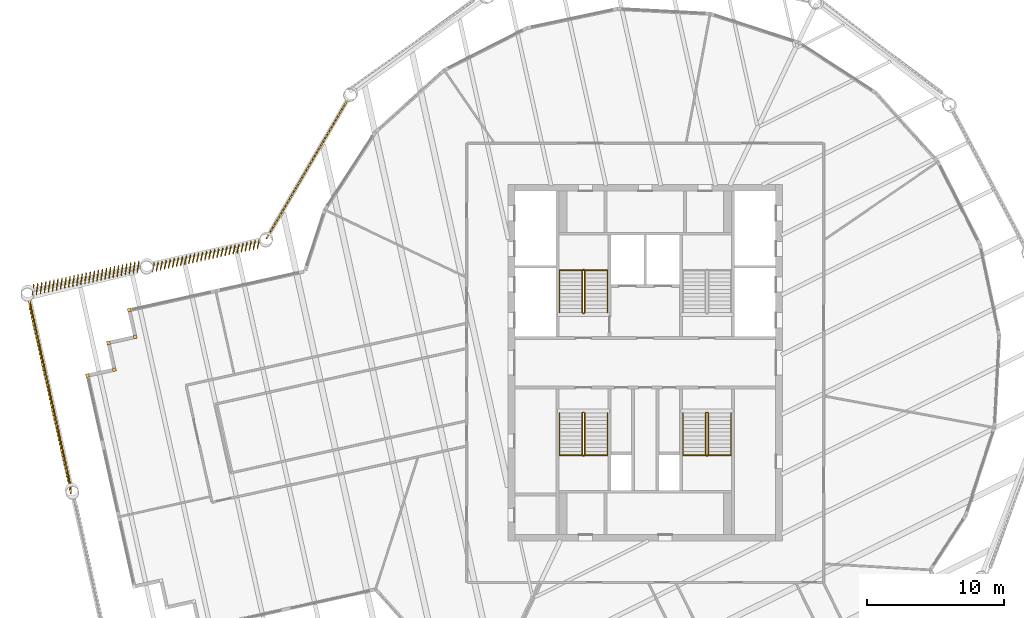
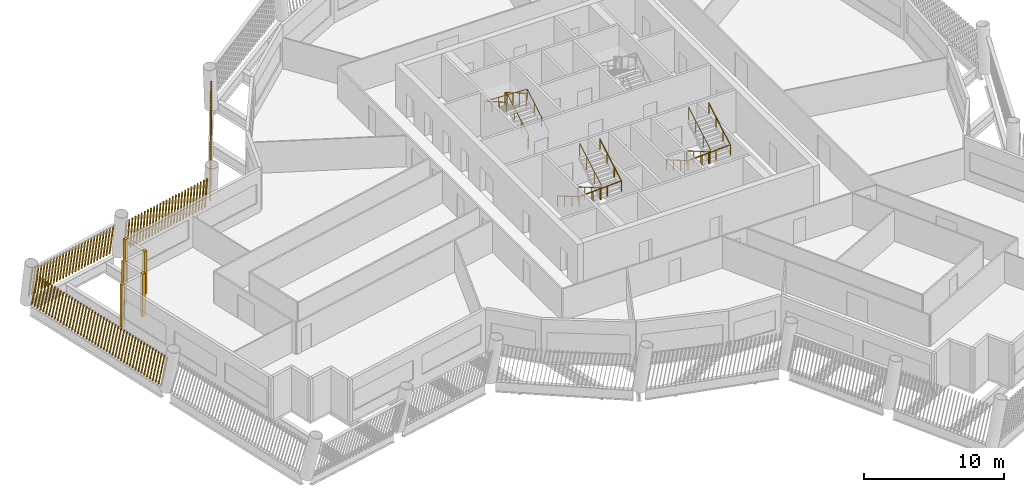
# One storey, part 11 of 14: 9 shading devices, 6 railings.
"""IFC4 building model written with IfcOpenShell, lengths in metres."""

from ifc_helpers import new_model, si_unit, direction, frame, frame_2d, origin, origin_2d, place, context, subcontext, project, spatial, rectangle, circle, composite_profile, extrude, material, type_object, element, save


model = new_model("IFC4")

# Units and contexts
model_context = context("Model", 3, precision=1e-05, world=origin(), true_north=direction((0.0, 1.0)))
body_context = subcontext(model_context, "Body", "Model", "MODEL_VIEW")
ifc_project = project(units=[si_unit("LENGTHUNIT", "METRE"), si_unit("AREAUNIT", "SQUARE_METRE"), si_unit("VOLUMEUNIT", "CUBIC_METRE"), si_unit("PLANEANGLEUNIT", "RADIAN"), si_unit("MASSUNIT", "GRAM", prefix="KILO")], contexts=[model_context])

# Site, building, storey
site_placement = place(None, origin())
site = spatial("IfcSite", under=ifc_project, at=site_placement, CompositionType="ELEMENT")
building_placement = place(site_placement, origin())
building = spatial("IfcBuilding", under=site, at=building_placement, Name="Tarsis Ring Headquarters", CompositionType="ELEMENT")
storey_placement = place(building_placement, frame((0.0, 0.0, 335.300048828125)))
storey = spatial("IfcBuildingStorey", under=building, at=storey_placement, Name="L79", CompositionType="ELEMENT", Elevation=335.300048828125)

# Railings
ifc_material_1 = material(Name="Steel S355", Category="steel")
railing_type_1 = type_object("IfcRailingType", Name="Core stair guard 1100", PredefinedType="GUARDRAIL", material=ifc_material_1)
railing_1_placement = place(storey_placement, frame((-4.5400390625, 3.610107421875, 0.0)))
element("IfcRailing", 1, at=railing_1_placement, inside=storey, type_object=railing_type_1, Name="L79 ST1 stair guard 1", PredefinedType="GUARDRAIL", context=body_context, shape_type="SweptSolid", body=[
    extrude(circle(Radius=0.02392578125, at=origin_2d()), frame((0.0, 0.0, 1.076171875), z_axis=(1.0, 0.0, 0.0), x_axis=(0.0, 1.0, 0.0)), (0.0, 0.0, 1.0), 0.080078125),
    extrude(circle(Radius=0.02392578125, at=origin_2d()), frame((0.080078125, 0.0, 1.076171875), z_axis=(0.282693820306, 0.281314826061, 0.917031173188), x_axis=(-0.705375805398, 0.708833529934, 0.0)), (0.0, 0.0, 1.0), 0.177001953125),
    extrude(circle(Radius=0.02392578125, at=origin_2d()), frame((0.130126953125, 0.0498046875, 1.23828125), z_axis=(0.0, 0.864890721111, 0.501960198159), x_axis=(-1.0, 0.0, 0.0)), (0.0, 0.0, 1.0), 3.561279296875),
    extrude(circle(Radius=0.02392578125, at=origin_2d()), frame((0.130126953125, 3.1298828125, 3.02587890625), z_axis=(-0.707106781187, 0.707106781187, 0.0), x_axis=(-0.707106781187, -0.707106781187, 0.0)), (0.0, 0.0, 1.0), 0.07080078125),
    extrude(circle(Radius=0.02392578125, at=origin_2d()), frame((0.080078125, 3.179931640625, 3.02587890625), z_axis=(-1.0, 0.0, 0.0), x_axis=(0.0, -1.0, 0.0)), (0.0, 0.0, 1.0), 0.080078125),
    extrude(circle(Radius=0.02392578125, at=origin_2d()), frame((0.0, 3.179931640625, 3.02587890625), z_axis=(-0.282227285176, -0.282227285176, 0.916894497205), x_axis=(0.707106781187, -0.707106781187, 0.0)), (0.0, 0.0, 1.0), 0.17724609375),
    extrude(circle(Radius=0.02392578125, at=origin_2d()), frame((-0.050048828125, 3.1298828125, 3.1884765625), z_axis=(0.0, -0.864920483161, 0.501908913857), x_axis=(1.0, 0.0, 0.0)), (0.0, 0.0, 1.0), 3.56103515625),
    extrude(circle(Radius=0.02099609375, at=origin_2d()), origin(), (0.0, 0.0, 1.0), 1.052001953125),
    extrude(circle(Radius=0.02099609375, at=origin_2d()), frame((0.080078125, 0.0, 0.0)), (0.0, 0.0, 1.0), 1.052001953125),
    extrude(circle(Radius=0.02099609375, at=origin_2d()), frame((0.130126953125, 0.0498046875, 0.162353515625)), (0.0, 0.0, 1.0), 1.052001953125),
    extrude(circle(Radius=0.02099609375, at=origin_2d()), frame((0.130126953125, 1.076416015625, 0.75830078125)), (0.0, 0.0, 1.0), 1.052001953125),
    extrude(circle(Radius=0.02099609375, at=origin_2d()), frame((0.130126953125, 2.103271484375, 1.35400390625)), (0.0, 0.0, 1.0), 1.052001953125),
    extrude(circle(Radius=0.02099609375, at=origin_2d()), frame((0.130126953125, 3.1298828125, 1.949951171875)), (0.0, 0.0, 1.0), 1.052001953125),
    extrude(circle(Radius=0.02099609375, at=origin_2d()), frame((0.080078125, 3.179931640625, 1.949951171875)), (0.0, 0.0, 1.0), 1.052001953125),
    extrude(circle(Radius=0.02099609375, at=origin_2d()), frame((0.0, 3.179931640625, 1.949951171875)), (0.0, 0.0, 1.0), 1.052001953125),
    extrude(circle(Radius=0.02099609375, at=origin_2d()), frame((-0.050048828125, 3.1298828125, 2.112548828125)), (0.0, 0.0, 1.0), 1.052001953125),
    extrude(circle(Radius=0.02099609375, at=origin_2d()), frame((-0.050048828125, 2.103271484375, 2.708251953125)), (0.0, 0.0, 1.0), 1.052001953125),
    extrude(circle(Radius=0.02099609375, at=origin_2d()), frame((-0.050048828125, 1.076416015625, 3.30419921875)), (0.0, 0.0, 1.0), 1.052001953125),
    extrude(circle(Radius=0.02099609375, at=origin_2d()), frame((-0.050048828125, 0.0498046875, 3.89990234375)), (0.0, 0.0, 1.0), 1.052001953125),
])
railing_2_placement = place(storey_placement, frame((-4.4599609375, -3.610107421875, 0.0)))
element("IfcRailing", 2, at=railing_2_placement, inside=storey, type_object=railing_type_1, Name="L79 ST3 stair guard 1", PredefinedType="GUARDRAIL", context=body_context, shape_type="SweptSolid", body=[
    extrude(circle(Radius=0.02392578125, at=origin_2d()), frame((0.0, 0.0, 1.076171875), z_axis=(-1.0, 0.0, 0.0), x_axis=(0.0, -1.0, 0.0)), (0.0, 0.0, 1.0), 0.080078125),
    extrude(circle(Radius=0.02392578125, at=origin_2d()), frame((-0.080078125, 0.0, 1.076171875), z_axis=(-0.282693820306, -0.281314826061, 0.917031173188), x_axis=(0.705375805398, -0.708833529934, 0.0)), (0.0, 0.0, 1.0), 0.177001953125),
    extrude(circle(Radius=0.02392578125, at=origin_2d()), frame((-0.130126953125, -0.0498046875, 1.23828125), z_axis=(0.0, -0.864890721111, 0.501960198159), x_axis=(1.0, 0.0, 0.0)), (0.0, 0.0, 1.0), 3.561279296875),
    extrude(circle(Radius=0.02392578125, at=origin_2d()), frame((-0.130126953125, -3.1298828125, 3.02587890625), z_axis=(0.707106781187, -0.707106781187, 0.0), x_axis=(0.707106781187, 0.707106781187, 0.0)), (0.0, 0.0, 1.0), 0.07080078125),
    extrude(circle(Radius=0.02392578125, at=origin_2d()), frame((-0.080078125, -3.179931640625, 3.02587890625), z_axis=(1.0, 0.0, 0.0), x_axis=(0.0, 1.0, 0.0)), (0.0, 0.0, 1.0), 0.080078125),
    extrude(circle(Radius=0.02392578125, at=origin_2d()), frame((0.0, -3.179931640625, 3.02587890625), z_axis=(0.282227285176, 0.282227285176, 0.916894497205), x_axis=(-0.707106781187, 0.707106781187, 0.0)), (0.0, 0.0, 1.0), 0.17724609375),
    extrude(circle(Radius=0.02392578125, at=origin_2d()), frame((0.050048828125, -3.1298828125, 3.1884765625), z_axis=(0.0, 0.864920483161, 0.501908913857), x_axis=(-1.0, 0.0, 0.0)), (0.0, 0.0, 1.0), 3.56103515625),
    extrude(circle(Radius=0.02099609375, at=origin_2d()), origin(), (0.0, 0.0, 1.0), 1.052001953125),
    extrude(circle(Radius=0.02099609375, at=origin_2d()), frame((-0.080078125, 0.0, 0.0)), (0.0, 0.0, 1.0), 1.052001953125),
    extrude(circle(Radius=0.02099609375, at=origin_2d()), frame((-0.130126953125, -0.0498046875, 0.162353515625)), (0.0, 0.0, 1.0), 1.052001953125),
    extrude(circle(Radius=0.02099609375, at=origin_2d()), frame((-0.130126953125, -1.076416015625, 0.75830078125)), (0.0, 0.0, 1.0), 1.052001953125),
    extrude(circle(Radius=0.02099609375, at=origin_2d()), frame((-0.130126953125, -2.103271484375, 1.35400390625)), (0.0, 0.0, 1.0), 1.052001953125),
    extrude(circle(Radius=0.02099609375, at=origin_2d()), frame((-0.130126953125, -3.1298828125, 1.949951171875)), (0.0, 0.0, 1.0), 1.052001953125),
    extrude(circle(Radius=0.02099609375, at=origin_2d()), frame((-0.080078125, -3.179931640625, 1.949951171875)), (0.0, 0.0, 1.0), 1.052001953125),
    extrude(circle(Radius=0.02099609375, at=origin_2d()), frame((0.0, -3.179931640625, 1.949951171875)), (0.0, 0.0, 1.0), 1.052001953125),
    extrude(circle(Radius=0.02099609375, at=origin_2d()), frame((0.050048828125, -3.1298828125, 2.112548828125)), (0.0, 0.0, 1.0), 1.052001953125),
    extrude(circle(Radius=0.02099609375, at=origin_2d()), frame((0.050048828125, -2.103271484375, 2.708251953125)), (0.0, 0.0, 1.0), 1.052001953125),
    extrude(circle(Radius=0.02099609375, at=origin_2d()), frame((0.050048828125, -1.076416015625, 3.30419921875)), (0.0, 0.0, 1.0), 1.052001953125),
    extrude(circle(Radius=0.02099609375, at=origin_2d()), frame((0.050048828125, -0.0498046875, 3.89990234375)), (0.0, 0.0, 1.0), 1.052001953125),
])
railing_3_placement = place(storey_placement, frame((4.5400390625, -3.610107421875, 0.0)))
element("IfcRailing", 3, at=railing_3_placement, inside=storey, type_object=railing_type_1, Name="L79 ST4 stair guard 1", PredefinedType="GUARDRAIL", context=body_context, shape_type="SweptSolid", body=[
    extrude(circle(Radius=0.02392578125, at=origin_2d()), frame((0.0, 0.0, 1.076171875), z_axis=(-1.0, 0.0, 0.0), x_axis=(0.0, -1.0, 0.0)), (0.0, 0.0, 1.0), 0.080078125),
    extrude(circle(Radius=0.02392578125, at=origin_2d()), frame((-0.080078125, 0.0, 1.076171875), z_axis=(-0.282693820306, -0.281314826061, 0.917031173188), x_axis=(0.705375805398, -0.708833529934, 0.0)), (0.0, 0.0, 1.0), 0.177001953125),
    extrude(circle(Radius=0.02392578125, at=origin_2d()), frame((-0.130126953125, -0.0498046875, 1.23828125), z_axis=(0.0, -0.864890721111, 0.501960198159), x_axis=(1.0, 0.0, 0.0)), (0.0, 0.0, 1.0), 3.561279296875),
    extrude(circle(Radius=0.02392578125, at=origin_2d()), frame((-0.130126953125, -3.1298828125, 3.02587890625), z_axis=(0.707106781187, -0.707106781187, 0.0), x_axis=(0.707106781187, 0.707106781187, 0.0)), (0.0, 0.0, 1.0), 0.07080078125),
    extrude(circle(Radius=0.02392578125, at=origin_2d()), frame((-0.080078125, -3.179931640625, 3.02587890625), z_axis=(1.0, 0.0, 0.0), x_axis=(0.0, 1.0, 0.0)), (0.0, 0.0, 1.0), 0.080078125),
    extrude(circle(Radius=0.02392578125, at=origin_2d()), frame((0.0, -3.179931640625, 3.02587890625), z_axis=(0.282227285176, 0.282227285176, 0.916894497205), x_axis=(-0.707106781187, 0.707106781187, 0.0)), (0.0, 0.0, 1.0), 0.17724609375),
    extrude(circle(Radius=0.02392578125, at=origin_2d()), frame((0.050048828125, -3.1298828125, 3.1884765625), z_axis=(0.0, 0.864920483161, 0.501908913857), x_axis=(-1.0, 0.0, 0.0)), (0.0, 0.0, 1.0), 3.56103515625),
    extrude(circle(Radius=0.02099609375, at=origin_2d()), origin(), (0.0, 0.0, 1.0), 1.052001953125),
    extrude(circle(Radius=0.02099609375, at=origin_2d()), frame((-0.080078125, 0.0, 0.0)), (0.0, 0.0, 1.0), 1.052001953125),
    extrude(circle(Radius=0.02099609375, at=origin_2d()), frame((-0.130126953125, -0.0498046875, 0.162353515625)), (0.0, 0.0, 1.0), 1.052001953125),
    extrude(circle(Radius=0.02099609375, at=origin_2d()), frame((-0.130126953125, -1.076416015625, 0.75830078125)), (0.0, 0.0, 1.0), 1.052001953125),
    extrude(circle(Radius=0.02099609375, at=origin_2d()), frame((-0.130126953125, -2.103271484375, 1.35400390625)), (0.0, 0.0, 1.0), 1.052001953125),
    extrude(circle(Radius=0.02099609375, at=origin_2d()), frame((-0.130126953125, -3.1298828125, 1.949951171875)), (0.0, 0.0, 1.0), 1.052001953125),
    extrude(circle(Radius=0.02099609375, at=origin_2d()), frame((-0.080078125, -3.179931640625, 1.949951171875)), (0.0, 0.0, 1.0), 1.052001953125),
    extrude(circle(Radius=0.02099609375, at=origin_2d()), frame((0.0, -3.179931640625, 1.949951171875)), (0.0, 0.0, 1.0), 1.052001953125),
    extrude(circle(Radius=0.02099609375, at=origin_2d()), frame((0.050048828125, -3.1298828125, 2.112548828125)), (0.0, 0.0, 1.0), 1.052001953125),
    extrude(circle(Radius=0.02099609375, at=origin_2d()), frame((0.050048828125, -2.103271484375, 2.708251953125)), (0.0, 0.0, 1.0), 1.052001953125),
    extrude(circle(Radius=0.02099609375, at=origin_2d()), frame((0.050048828125, -1.076416015625, 3.30419921875)), (0.0, 0.0, 1.0), 1.052001953125),
    extrude(circle(Radius=0.02099609375, at=origin_2d()), frame((0.050048828125, -0.0498046875, 3.89990234375)), (0.0, 0.0, 1.0), 1.052001953125),
])
railing_type_2 = type_object("IfcRailingType", Name="Core stair handrail 900", PredefinedType="HANDRAIL", material=ifc_material_1)
railing_4_placement = place(storey_placement, frame((-2.75, 3.659912109375, 0.162353515625)))
element("IfcRailing", 4, at=railing_4_placement, inside=storey, type_object=railing_type_2, Name="L79 ST1 stair handrail 1", PredefinedType="HANDRAIL", context=body_context, shape_type="SweptSolid", body=[
    extrude(circle(Radius=0.02392578125, at=origin_2d()), frame((0.0, 0.0, 0.8759765625), z_axis=(0.0, 0.864890721111, 0.501960198159), x_axis=(-1.0, 0.0, 0.0)), (0.0, 0.0, 1.0), 3.561279296875),
    extrude(circle(Radius=0.02392578125, at=origin_2d()), frame((0.0, 3.080078125, 2.66357421875), z_axis=(-0.998922641604, 0.0, 0.046406422943), x_axis=(0.0, -1.0, 0.0)), (0.0, 0.0, 1.0), 3.503662109375),
    extrude(circle(Radius=0.02392578125, at=origin_2d()), frame((-3.5, 3.080078125, 2.826171875), z_axis=(0.0, -0.864920483161, 0.501908913857), x_axis=(1.0, 0.0, 0.0)), (0.0, 0.0, 1.0), 3.56103515625),
    extrude(circle(Radius=0.02099609375, at=origin_2d()), origin(), (0.0, 0.0, 1.0), 0.851806640625),
    extrude(circle(Radius=0.02099609375, at=origin_2d()), frame((0.0, 1.026611328125, 0.595947265625)), (0.0, 0.0, 1.0), 0.851806640625),
    extrude(circle(Radius=0.02099609375, at=origin_2d()), frame((0.0, 2.053466796875, 1.191650390625)), (0.0, 0.0, 1.0), 0.851806640625),
    extrude(circle(Radius=0.02099609375, at=origin_2d()), frame((0.0, 3.080078125, 1.78759765625)), (0.0, 0.0, 1.0), 0.851806640625),
    extrude(circle(Radius=0.02099609375, at=origin_2d()), frame((-1.166748046875, 3.080078125, 1.841796875)), (0.0, 0.0, 1.0), 0.851806640625),
    extrude(circle(Radius=0.02099609375, at=origin_2d()), frame((-2.333251953125, 3.080078125, 1.89599609375)), (0.0, 0.0, 1.0), 0.851806640625),
    extrude(circle(Radius=0.02099609375, at=origin_2d()), frame((-3.5, 3.080078125, 1.9501953125)), (0.0, 0.0, 1.0), 0.851806640625),
    extrude(circle(Radius=0.02099609375, at=origin_2d()), frame((-3.5, 2.053466796875, 2.5458984375)), (0.0, 0.0, 1.0), 0.851806640625),
    extrude(circle(Radius=0.02099609375, at=origin_2d()), frame((-3.5, 1.026611328125, 3.141845703125)), (0.0, 0.0, 1.0), 0.851806640625),
    extrude(circle(Radius=0.02099609375, at=origin_2d()), frame((-3.5, 0.0, 3.737548828125)), (0.0, 0.0, 1.0), 0.851806640625),
])
railing_5_placement = place(storey_placement, frame((-6.25, -3.659912109375, 0.162353515625)))
element("IfcRailing", 5, at=railing_5_placement, inside=storey, type_object=railing_type_2, Name="L79 ST3 stair handrail 1", PredefinedType="HANDRAIL", context=body_context, shape_type="SweptSolid", body=[
    extrude(circle(Radius=0.02392578125, at=origin_2d()), frame((0.0, 0.0, 0.8759765625), z_axis=(0.0, -0.864890721111, 0.501960198159), x_axis=(1.0, 0.0, 0.0)), (0.0, 0.0, 1.0), 3.561279296875),
    extrude(circle(Radius=0.02392578125, at=origin_2d()), frame((0.0, -3.080078125, 2.66357421875), z_axis=(0.998922641604, 0.0, 0.046406422943), x_axis=(0.0, 1.0, 0.0)), (0.0, 0.0, 1.0), 3.503662109375),
    extrude(circle(Radius=0.02392578125, at=origin_2d()), frame((3.5, -3.080078125, 2.826171875), z_axis=(0.0, 0.864920483161, 0.501908913857), x_axis=(-1.0, 0.0, 0.0)), (0.0, 0.0, 1.0), 3.56103515625),
    extrude(circle(Radius=0.02099609375, at=origin_2d()), origin(), (0.0, 0.0, 1.0), 0.851806640625),
    extrude(circle(Radius=0.02099609375, at=origin_2d()), frame((0.0, -1.026611328125, 0.595947265625)), (0.0, 0.0, 1.0), 0.851806640625),
    extrude(circle(Radius=0.02099609375, at=origin_2d()), frame((0.0, -2.053466796875, 1.191650390625)), (0.0, 0.0, 1.0), 0.851806640625),
    extrude(circle(Radius=0.02099609375, at=origin_2d()), frame((0.0, -3.080078125, 1.78759765625)), (0.0, 0.0, 1.0), 0.851806640625),
    extrude(circle(Radius=0.02099609375, at=origin_2d()), frame((1.166748046875, -3.080078125, 1.841796875)), (0.0, 0.0, 1.0), 0.851806640625),
    extrude(circle(Radius=0.02099609375, at=origin_2d()), frame((2.333251953125, -3.080078125, 1.89599609375)), (0.0, 0.0, 1.0), 0.851806640625),
    extrude(circle(Radius=0.02099609375, at=origin_2d()), frame((3.5, -3.080078125, 1.9501953125)), (0.0, 0.0, 1.0), 0.851806640625),
    extrude(circle(Radius=0.02099609375, at=origin_2d()), frame((3.5, -2.053466796875, 2.5458984375)), (0.0, 0.0, 1.0), 0.851806640625),
    extrude(circle(Radius=0.02099609375, at=origin_2d()), frame((3.5, -1.026611328125, 3.141845703125)), (0.0, 0.0, 1.0), 0.851806640625),
    extrude(circle(Radius=0.02099609375, at=origin_2d()), frame((3.5, 0.0, 3.737548828125)), (0.0, 0.0, 1.0), 0.851806640625),
])
railing_6_placement = place(storey_placement, frame((2.75, -3.659912109375, 0.162353515625)))
element("IfcRailing", 6, at=railing_6_placement, inside=storey, type_object=railing_type_2, Name="L79 ST4 stair handrail 1", PredefinedType="HANDRAIL", context=body_context, shape_type="SweptSolid", body=[
    extrude(circle(Radius=0.02392578125, at=origin_2d()), frame((0.0, 0.0, 0.8759765625), z_axis=(0.0, -0.864890721111, 0.501960198159), x_axis=(1.0, 0.0, 0.0)), (0.0, 0.0, 1.0), 3.561279296875),
    extrude(circle(Radius=0.02392578125, at=origin_2d()), frame((0.0, -3.080078125, 2.66357421875), z_axis=(0.998922641604, 0.0, 0.046406422943), x_axis=(0.0, 1.0, 0.0)), (0.0, 0.0, 1.0), 3.503662109375),
    extrude(circle(Radius=0.02392578125, at=origin_2d()), frame((3.5, -3.080078125, 2.826171875), z_axis=(0.0, 0.864920483161, 0.501908913857), x_axis=(-1.0, 0.0, 0.0)), (0.0, 0.0, 1.0), 3.56103515625),
    extrude(circle(Radius=0.02099609375, at=origin_2d()), origin(), (0.0, 0.0, 1.0), 0.851806640625),
    extrude(circle(Radius=0.02099609375, at=origin_2d()), frame((0.0, -1.026611328125, 0.595947265625)), (0.0, 0.0, 1.0), 0.851806640625),
    extrude(circle(Radius=0.02099609375, at=origin_2d()), frame((0.0, -2.053466796875, 1.191650390625)), (0.0, 0.0, 1.0), 0.851806640625),
    extrude(circle(Radius=0.02099609375, at=origin_2d()), frame((0.0, -3.080078125, 1.78759765625)), (0.0, 0.0, 1.0), 0.851806640625),
    extrude(circle(Radius=0.02099609375, at=origin_2d()), frame((1.166748046875, -3.080078125, 1.841796875)), (0.0, 0.0, 1.0), 0.851806640625),
    extrude(circle(Radius=0.02099609375, at=origin_2d()), frame((2.333251953125, -3.080078125, 1.89599609375)), (0.0, 0.0, 1.0), 0.851806640625),
    extrude(circle(Radius=0.02099609375, at=origin_2d()), frame((3.5, -3.080078125, 1.9501953125)), (0.0, 0.0, 1.0), 0.851806640625),
    extrude(circle(Radius=0.02099609375, at=origin_2d()), frame((3.5, -2.053466796875, 2.5458984375)), (0.0, 0.0, 1.0), 0.851806640625),
    extrude(circle(Radius=0.02099609375, at=origin_2d()), frame((3.5, -1.026611328125, 3.141845703125)), (0.0, 0.0, 1.0), 0.851806640625),
    extrude(circle(Radius=0.02099609375, at=origin_2d()), frame((3.5, 0.0, 3.737548828125)), (0.0, 0.0, 1.0), 0.851806640625),
])

# Shading devices
ifc_material_2 = material(Name="Terracotta baguette", Category="masonry")
shading_device_type_1 = type_object("IfcShadingDeviceType", Name="Terracotta baguette screen", PredefinedType="USERDEFINED", material=ifc_material_2)
shading_device_1_placement = place(storey_placement, frame((-21.671875, 19.1904296875, 0.0), z_axis=(0.0, 0.0, 1.0), x_axis=(-0.504850786761, -0.863201302225, 0.0)))
element("IfcShadingDevice", 7, at=shading_device_1_placement, inside=storey, type_object=shading_device_type_1, Name="Baguette screen L79-14", ObjectType="Terracotta baguette screen", PredefinedType="USERDEFINED", context=body_context, shape_type="SweptSolid", body=[
    extrude(composite_profile([rectangle(XDim=0.06005859375, YDim=0.1201171875, at=frame_2d((0.030029296875, 0.0))), rectangle(XDim=0.06005859375, YDim=0.1201171875, at=frame_2d((0.33251953125, 0.0))), rectangle(XDim=0.06005859375, YDim=0.1201171875, at=frame_2d((0.634765625, 0.0))), rectangle(XDim=0.06005859375, YDim=0.1201171875, at=frame_2d((0.937255859375, 0.0))), rectangle(XDim=0.06005859375, YDim=0.1201171875, at=frame_2d((1.239501953125, 0.0))), rectangle(XDim=0.06005859375, YDim=0.1201171875, at=frame_2d((1.5419921875, 0.0))), rectangle(XDim=0.06005859375, YDim=0.1201171875, at=frame_2d((1.844482421875, 0.0))), rectangle(XDim=0.06005859375, YDim=0.1201171875, at=frame_2d((2.146728515625, 0.0))), rectangle(XDim=0.06005859375, YDim=0.1201171875, at=frame_2d((2.44921875, 0.0))), rectangle(XDim=0.06005859375, YDim=0.1201171875, at=frame_2d((2.751708984375, 0.0))), rectangle(XDim=0.06005859375, YDim=0.1201171875, at=frame_2d((3.053955078125, 0.0))), rectangle(XDim=0.06005859375, YDim=0.1201171875, at=frame_2d((3.3564453125, 0.0))), rectangle(XDim=0.06005859375, YDim=0.1201171875, at=frame_2d((3.65869140625, 0.0))), rectangle(XDim=0.06005859375, YDim=0.1201171875, at=frame_2d((3.961181640625, 0.0))), rectangle(XDim=0.06005859375, YDim=0.1201171875, at=frame_2d((4.263671875, 0.0))), rectangle(XDim=0.06005859375, YDim=0.1201171875, at=frame_2d((4.56591796875, 0.0))), rectangle(XDim=0.06005859375, YDim=0.1201171875, at=frame_2d((4.868408203125, 0.0))), rectangle(XDim=0.06005859375, YDim=0.1201171875, at=frame_2d((5.1708984375, 0.0))), rectangle(XDim=0.06005859375, YDim=0.1201171875, at=frame_2d((5.47314453125, 0.0))), rectangle(XDim=0.06005859375, YDim=0.1201171875, at=frame_2d((5.775634765625, 0.0))), rectangle(XDim=0.06005859375, YDim=0.1201171875, at=frame_2d((6.077880859375, 0.0))), rectangle(XDim=0.06005859375, YDim=0.1201171875, at=frame_2d((6.38037109375, 0.0))), rectangle(XDim=0.06005859375, YDim=0.1201171875, at=frame_2d((6.682861328125, 0.0))), rectangle(XDim=0.06005859375, YDim=0.1201171875, at=frame_2d((6.985107421875, 0.0))), rectangle(XDim=0.06005859375, YDim=0.1201171875, at=frame_2d((7.28759765625, 0.0))), rectangle(XDim=0.06005859375, YDim=0.1201171875, at=frame_2d((7.590087890625, 0.0))), rectangle(XDim=0.06005859375, YDim=0.1201171875, at=frame_2d((7.892333984375, 0.0))), rectangle(XDim=0.06005859375, YDim=0.1201171875, at=frame_2d((8.19482421875, 0.0))), rectangle(XDim=0.06005859375, YDim=0.1201171875, at=frame_2d((8.4970703125, 0.0))), rectangle(XDim=0.06005859375, YDim=0.1201171875, at=frame_2d((8.799560546875, 0.0))), rectangle(XDim=0.06005859375, YDim=0.1201171875, at=frame_2d((9.10205078125, 0.0))), rectangle(XDim=0.06005859375, YDim=0.1201171875, at=frame_2d((9.404296875, 0.0))), rectangle(XDim=0.06005859375, YDim=0.1201171875, at=frame_2d((9.706787109375, 0.0))), rectangle(XDim=0.06005859375, YDim=0.1201171875, at=frame_2d((10.00927734375, 0.0))), rectangle(XDim=0.06005859375, YDim=0.1201171875, at=frame_2d((10.3115234375, 0.0))), rectangle(XDim=0.06005859375, YDim=0.1201171875, at=frame_2d((10.614013671875, 0.0))), rectangle(XDim=0.06005859375, YDim=0.1201171875, at=frame_2d((10.916259765625, 0.0))), rectangle(XDim=0.06005859375, YDim=0.1201171875, at=frame_2d((11.21875, 0.0)))]), origin(), (0.171100474725, 0.001553958013, 0.985252359938), 3.01220703125),
])
shading_device_2_placement = place(storey_placement, frame((-28.09130859375, 8.940673828125, 0.0), z_axis=(0.0, 0.0, 1.0), x_axis=(-0.976365546218, -0.216077607514, 0.0)))
element("IfcShadingDevice", 8, at=shading_device_2_placement, inside=storey, type_object=shading_device_type_1, Name="Baguette screen L79-15", ObjectType="Terracotta baguette screen", PredefinedType="USERDEFINED", context=body_context, shape_type="SweptSolid", body=[
    extrude(composite_profile([rectangle(XDim=0.06005859375, YDim=0.1201171875, at=frame_2d((0.030029296875, 0.0))), rectangle(XDim=0.06005859375, YDim=0.1201171875, at=frame_2d((0.33154296875, 0.0))), rectangle(XDim=0.06005859375, YDim=0.1201171875, at=frame_2d((0.63330078125, 0.0))), rectangle(XDim=0.06005859375, YDim=0.1201171875, at=frame_2d((0.934814453125, 0.0))), rectangle(XDim=0.06005859375, YDim=0.1201171875, at=frame_2d((1.236572265625, 0.0))), rectangle(XDim=0.06005859375, YDim=0.1201171875, at=frame_2d((1.5380859375, 0.0))), rectangle(XDim=0.06005859375, YDim=0.1201171875, at=frame_2d((1.83984375, 0.0))), rectangle(XDim=0.06005859375, YDim=0.1201171875, at=frame_2d((2.141357421875, 0.0))), rectangle(XDim=0.06005859375, YDim=0.1201171875, at=frame_2d((2.443115234375, 0.0))), rectangle(XDim=0.06005859375, YDim=0.1201171875, at=frame_2d((2.74462890625, 0.0))), rectangle(XDim=0.06005859375, YDim=0.1201171875, at=frame_2d((3.04638671875, 0.0))), rectangle(XDim=0.06005859375, YDim=0.1201171875, at=frame_2d((3.347900390625, 0.0))), rectangle(XDim=0.06005859375, YDim=0.1201171875, at=frame_2d((3.649658203125, 0.0))), rectangle(XDim=0.06005859375, YDim=0.1201171875, at=frame_2d((3.951171875, 0.0))), rectangle(XDim=0.06005859375, YDim=0.1201171875, at=frame_2d((4.252685546875, 0.0))), rectangle(XDim=0.06005859375, YDim=0.1201171875, at=frame_2d((4.554443359375, 0.0))), rectangle(XDim=0.06005859375, YDim=0.1201171875, at=frame_2d((4.85595703125, 0.0))), rectangle(XDim=0.06005859375, YDim=0.1201171875, at=frame_2d((5.15771484375, 0.0))), rectangle(XDim=0.06005859375, YDim=0.1201171875, at=frame_2d((5.459228515625, 0.0))), rectangle(XDim=0.06005859375, YDim=0.1201171875, at=frame_2d((5.760986328125, 0.0))), rectangle(XDim=0.06005859375, YDim=0.1201171875, at=frame_2d((6.0625, 0.0))), rectangle(XDim=0.06005859375, YDim=0.1201171875, at=frame_2d((6.3642578125, 0.0))), rectangle(XDim=0.06005859375, YDim=0.1201171875, at=frame_2d((6.665771484375, 0.0))), rectangle(XDim=0.06005859375, YDim=0.1201171875, at=frame_2d((6.967529296875, 0.0))), rectangle(XDim=0.06005859375, YDim=0.1201171875, at=frame_2d((7.26904296875, 0.0))), rectangle(XDim=0.06005859375, YDim=0.1201171875, at=frame_2d((7.57080078125, 0.0))), rectangle(XDim=0.06005859375, YDim=0.1201171875, at=frame_2d((7.872314453125, 0.0)))]), origin(), (0.087123364052, 0.177345724974, 0.980284659305), 3.02734375),
])
shading_device_3_placement = place(storey_placement, frame((-36.8642578125, 7.383056640625, 0.0), z_axis=(0.0, 0.0, 1.0), x_axis=(-0.976365546218, -0.216077607514, 0.0)))
element("IfcShadingDevice", 9, at=shading_device_3_placement, inside=storey, type_object=shading_device_type_1, Name="Baguette screen L79-16", ObjectType="Terracotta baguette screen", PredefinedType="USERDEFINED", context=body_context, shape_type="SweptSolid", body=[
    extrude(composite_profile([rectangle(XDim=0.06005859375, YDim=0.1201171875, at=frame_2d((0.030029296875, 0.0))), rectangle(XDim=0.06005859375, YDim=0.1201171875, at=frame_2d((0.33154296875, 0.0))), rectangle(XDim=0.06005859375, YDim=0.1201171875, at=frame_2d((0.63330078125, 0.0))), rectangle(XDim=0.06005859375, YDim=0.1201171875, at=frame_2d((0.934814453125, 0.0))), rectangle(XDim=0.06005859375, YDim=0.1201171875, at=frame_2d((1.236572265625, 0.0))), rectangle(XDim=0.06005859375, YDim=0.1201171875, at=frame_2d((1.5380859375, 0.0))), rectangle(XDim=0.06005859375, YDim=0.1201171875, at=frame_2d((1.83984375, 0.0))), rectangle(XDim=0.06005859375, YDim=0.1201171875, at=frame_2d((2.141357421875, 0.0))), rectangle(XDim=0.06005859375, YDim=0.1201171875, at=frame_2d((2.443115234375, 0.0))), rectangle(XDim=0.06005859375, YDim=0.1201171875, at=frame_2d((2.74462890625, 0.0))), rectangle(XDim=0.06005859375, YDim=0.1201171875, at=frame_2d((3.04638671875, 0.0))), rectangle(XDim=0.06005859375, YDim=0.1201171875, at=frame_2d((3.347900390625, 0.0))), rectangle(XDim=0.06005859375, YDim=0.1201171875, at=frame_2d((3.649658203125, 0.0))), rectangle(XDim=0.06005859375, YDim=0.1201171875, at=frame_2d((3.951171875, 0.0))), rectangle(XDim=0.06005859375, YDim=0.1201171875, at=frame_2d((4.252685546875, 0.0))), rectangle(XDim=0.06005859375, YDim=0.1201171875, at=frame_2d((4.554443359375, 0.0))), rectangle(XDim=0.06005859375, YDim=0.1201171875, at=frame_2d((4.85595703125, 0.0))), rectangle(XDim=0.06005859375, YDim=0.1201171875, at=frame_2d((5.15771484375, 0.0))), rectangle(XDim=0.06005859375, YDim=0.1201171875, at=frame_2d((5.459228515625, 0.0))), rectangle(XDim=0.06005859375, YDim=0.1201171875, at=frame_2d((5.760986328125, 0.0))), rectangle(XDim=0.06005859375, YDim=0.1201171875, at=frame_2d((6.0625, 0.0))), rectangle(XDim=0.06005859375, YDim=0.1201171875, at=frame_2d((6.3642578125, 0.0))), rectangle(XDim=0.06005859375, YDim=0.1201171875, at=frame_2d((6.665771484375, 0.0))), rectangle(XDim=0.06005859375, YDim=0.1201171875, at=frame_2d((6.967529296875, 0.0))), rectangle(XDim=0.06005859375, YDim=0.1201171875, at=frame_2d((7.26904296875, 0.0))), rectangle(XDim=0.06005859375, YDim=0.1201171875, at=frame_2d((7.57080078125, 0.0))), rectangle(XDim=0.06005859375, YDim=0.1201171875, at=frame_2d((7.872314453125, 0.0)))]), origin(), (0.087920184505, 0.228228627871, 0.969629689405), 3.060791015625),
])
shading_device_4_placement = place(storey_placement, frame((-44.87890625, 4.713134765625, 0.0), z_axis=(0.0, 0.0, 1.0), x_axis=(0.216099071207, -0.976364440513, 0.0)))
element("IfcShadingDevice", 10, at=shading_device_4_placement, inside=storey, type_object=shading_device_type_1, Name="Baguette screen L79-17", ObjectType="Terracotta baguette screen", PredefinedType="USERDEFINED", context=body_context, shape_type="SweptSolid", body=[
    extrude(composite_profile([rectangle(XDim=0.06005859375, YDim=0.1201171875, at=frame_2d((0.030029296875, 0.0))), rectangle(XDim=0.06005859375, YDim=0.1201171875, at=frame_2d((0.33544921875, 0.0))), rectangle(XDim=0.06005859375, YDim=0.1201171875, at=frame_2d((0.640625, 0.0))), rectangle(XDim=0.06005859375, YDim=0.1201171875, at=frame_2d((0.946044921875, 0.0))), rectangle(XDim=0.06005859375, YDim=0.1201171875, at=frame_2d((1.25146484375, 0.0))), rectangle(XDim=0.06005859375, YDim=0.1201171875, at=frame_2d((1.556640625, 0.0))), rectangle(XDim=0.06005859375, YDim=0.1201171875, at=frame_2d((1.862060546875, 0.0))), rectangle(XDim=0.06005859375, YDim=0.1201171875, at=frame_2d((2.16748046875, 0.0))), rectangle(XDim=0.06005859375, YDim=0.1201171875, at=frame_2d((2.47265625, 0.0))), rectangle(XDim=0.06005859375, YDim=0.1201171875, at=frame_2d((2.778076171875, 0.0))), rectangle(XDim=0.06005859375, YDim=0.1201171875, at=frame_2d((3.08349609375, 0.0))), rectangle(XDim=0.06005859375, YDim=0.1201171875, at=frame_2d((3.388671875, 0.0))), rectangle(XDim=0.06005859375, YDim=0.1201171875, at=frame_2d((3.694091796875, 0.0))), rectangle(XDim=0.06005859375, YDim=0.1201171875, at=frame_2d((3.99951171875, 0.0))), rectangle(XDim=0.06005859375, YDim=0.1201171875, at=frame_2d((4.3046875, 0.0))), rectangle(XDim=0.06005859375, YDim=0.1201171875, at=frame_2d((4.610107421875, 0.0))), rectangle(XDim=0.06005859375, YDim=0.1201171875, at=frame_2d((4.91552734375, 0.0))), rectangle(XDim=0.06005859375, YDim=0.1201171875, at=frame_2d((5.220703125, 0.0))), rectangle(XDim=0.06005859375, YDim=0.1201171875, at=frame_2d((5.526123046875, 0.0))), rectangle(XDim=0.06005859375, YDim=0.1201171875, at=frame_2d((5.83154296875, 0.0))), rectangle(XDim=0.06005859375, YDim=0.1201171875, at=frame_2d((6.13671875, 0.0))), rectangle(XDim=0.06005859375, YDim=0.1201171875, at=frame_2d((6.442138671875, 0.0))), rectangle(XDim=0.06005859375, YDim=0.1201171875, at=frame_2d((6.74755859375, 0.0))), rectangle(XDim=0.06005859375, YDim=0.1201171875, at=frame_2d((7.052734375, 0.0))), rectangle(XDim=0.06005859375, YDim=0.1201171875, at=frame_2d((7.358154296875, 0.0))), rectangle(XDim=0.06005859375, YDim=0.1201171875, at=frame_2d((7.66357421875, 0.0))), rectangle(XDim=0.06005859375, YDim=0.1201171875, at=frame_2d((7.96875, 0.0))), rectangle(XDim=0.06005859375, YDim=0.1201171875, at=frame_2d((8.274169921875, 0.0))), rectangle(XDim=0.06005859375, YDim=0.1201171875, at=frame_2d((8.57958984375, 0.0))), rectangle(XDim=0.06005859375, YDim=0.1201171875, at=frame_2d((8.884765625, 0.0))), rectangle(XDim=0.06005859375, YDim=0.1201171875, at=frame_2d((9.190185546875, 0.0))), rectangle(XDim=0.06005859375, YDim=0.1201171875, at=frame_2d((9.49560546875, 0.0))), rectangle(XDim=0.06005859375, YDim=0.1201171875, at=frame_2d((9.80078125, 0.0))), rectangle(XDim=0.06005859375, YDim=0.1201171875, at=frame_2d((10.106201171875, 0.0))), rectangle(XDim=0.06005859375, YDim=0.1201171875, at=frame_2d((10.41162109375, 0.0))), rectangle(XDim=0.06005859375, YDim=0.1201171875, at=frame_2d((10.716796875, 0.0))), rectangle(XDim=0.06005859375, YDim=0.1201171875, at=frame_2d((11.022216796875, 0.0))), rectangle(XDim=0.06005859375, YDim=0.1201171875, at=frame_2d((11.32763671875, 0.0))), rectangle(XDim=0.06005859375, YDim=0.1201171875, at=frame_2d((11.6328125, 0.0))), rectangle(XDim=0.06005859375, YDim=0.1201171875, at=frame_2d((11.938232421875, 0.0))), rectangle(XDim=0.06005859375, YDim=0.1201171875, at=frame_2d((12.24365234375, 0.0))), rectangle(XDim=0.06005859375, YDim=0.1201171875, at=frame_2d((12.548828125, 0.0))), rectangle(XDim=0.06005859375, YDim=0.1201171875, at=frame_2d((12.854248046875, 0.0))), rectangle(XDim=0.06005859375, YDim=0.1201171875, at=frame_2d((13.15966796875, 0.0))), rectangle(XDim=0.06005859375, YDim=0.1201171875, at=frame_2d((13.46484375, 0.0))), rectangle(XDim=0.06005859375, YDim=0.1201171875, at=frame_2d((13.770263671875, 0.0)))]), origin(), (0.253378600594, -0.041444441993, 0.966478992523), 3.07080078125),
])
shading_device_type_2 = type_object("IfcShadingDeviceType", Name="Terracotta corner baguette 250x250", PredefinedType="USERDEFINED", material=ifc_material_2)
for number, where, z_axis, x_axis, name in (
    (11, (-37.593505859375, 3.841796875, 0.0), (0.0, 0.0, 1.0), (-0.97637150686, -0.216098775081, 0.0), "Corner baguette L79-32"),
    (12, (-37.161376953125, 1.88916015625, 0.0), (0.0, 0.0, 1.0), (0.216098996613, -0.976371457829, 0.0), "Corner baguette L79-33"),
    (13, (-39.114013671875, 1.45703125, 0.0), (0.0, 0.0, 1.0), (-0.976371457829, -0.216098996613, 0.0), "Corner baguette L79-34"),
    (14, (-38.681884765625, -0.495849609375, 0.0), (0.0, 0.0, 1.0), (0.216098996613, -0.976371457829, 0.0), "Corner baguette L79-35"),
    (15, (-40.634521484375, -0.927978515625, 0.0), (0.0, 0.0, 1.0), (-0.976371586064, -0.216098417222, 0.0), "Corner baguette L79-36"),
):
    element("IfcShadingDevice", number, at=place(storey_placement, frame(where, z_axis=z_axis, x_axis=x_axis)), inside=storey, type_object=shading_device_type_2, Name=name, ObjectType="Terracotta corner baguette", PredefinedType="USERDEFINED", context=body_context, shape_type="SweptSolid", body=[
        extrude(rectangle(XDim=0.25, YDim=0.25, at=origin_2d()), origin(), (0.0, 0.0, 1.0), 3.739990234375),
    ])

save(model, "model.ifc")
